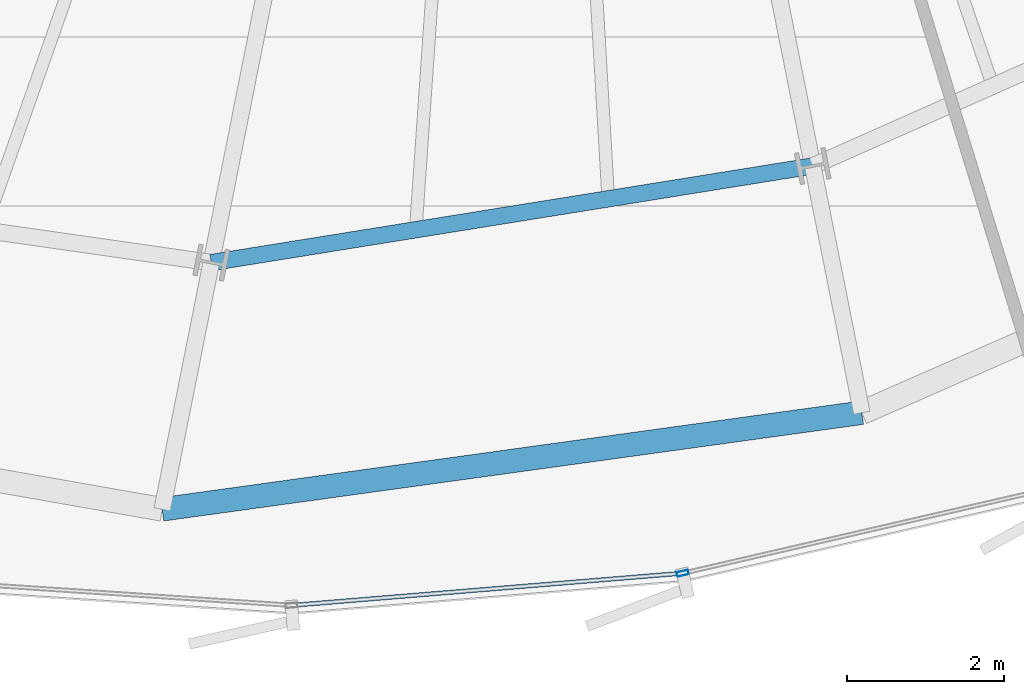
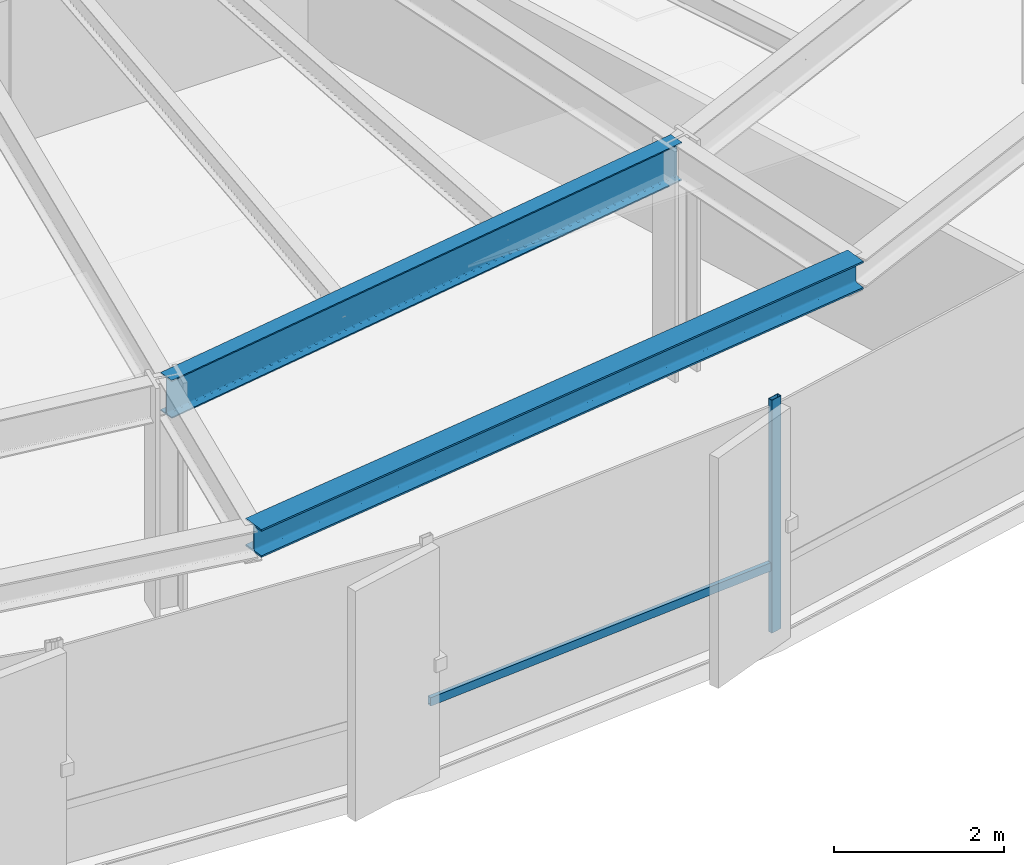
# One storey, part 6 of 35: 2 beams, 2 members, 1 element without a shape of its own.
"""IFC4 building model written with IfcOpenShell, lengths in metres."""

from ifc_helpers import new_model, si_unit, direction, frame, origin, origin_2d, place, context, subcontext, project, spatial, hollow_rectangle, i_section, extrude, source, transform, mapped, material, layer, layer_set, material_profile, profile_set, type_object, element, aggregate, save


model = new_model("IFC4")

# Units and contexts
model_context = context("Model", 3, precision=1e-05, world=origin(), true_north=direction((0.0, 1.0)))
body_context = subcontext(model_context, "Body", "Model", "MODEL_VIEW")
ifc_project = project(units=[si_unit("LENGTHUNIT", "METRE"), si_unit("AREAUNIT", "SQUARE_METRE"), si_unit("VOLUMEUNIT", "CUBIC_METRE"), si_unit("PLANEANGLEUNIT", "RADIAN"), si_unit("MASSUNIT", "GRAM", prefix="KILO"), si_unit("THERMODYNAMICTEMPERATUREUNIT", "KELVIN")], contexts=[model_context])

# Site, building, storey
site_placement = place(None, origin())
site = spatial("IfcSite", under=ifc_project, at=site_placement, CompositionType="ELEMENT")
building_placement = place(site_placement, origin())
building = spatial("IfcBuilding", under=site, at=building_placement, Name="Kethvar Cultural Tower", CompositionType="ELEMENT")
storey_placement = place(building_placement, frame((0.0, 0.0, 103.60009765625)))
storey = spatial("IfcBuildingStorey", under=building, at=storey_placement, Name="L25", CompositionType="ELEMENT", Elevation=103.60009765625)

# Beams
ifc_material_1 = material(Name="Steel S355J2", Category="steel")
ifc_material_profile_1 = material_profile(ifc_material_1, i_section(OverallWidth=0.2099609375, OverallDepth=0.550048828125, WebThickness=0.010986328125, FlangeThickness=0.01708984375, FilletRadius=0.02392578125, at=origin_2d()), Name="Steel S355J2 — IPE550")
ifc_profile_set_1 = profile_set([ifc_material_profile_1], Name="Steel S355J2 — IPE550")
beam_type_1 = type_object("IfcBeamType", Name="BM-IPE550", PredefinedType="BEAM", material=ifc_profile_set_1)
shared_shape_1 = source(origin(), body_context, "Body", "SweptSolid", [
    extrude(i_section(OverallWidth=0.2099609375, OverallDepth=0.550048828125, WebThickness=0.010986328125, FlangeThickness=0.01708984375, FilletRadius=0.02392578125, at=origin_2d()), origin(), (0.0, 0.0, 1.0), 7.749267578125),
])
beam_1_placement = place(storey_placement, frame((42.852294921875, 7.95361328125, 3.072998046875), z_axis=(0.987348257569, 0.158566762831, 0.0), x_axis=(-0.158566762831, 0.987348257569, 0.0)))
element("IfcBeam", 1, at=beam_1_placement, inside=storey, type_object=beam_type_1, Name="L25 Column Ring Tie Beam CR-12", PredefinedType="BEAM", context=body_context, shape_type="MappedRepresentation", body=[
    mapped(shared_shape_1, transform((0.0, 0.0, 0.0), scale=1.0)),
])
ifc_material_profile_2 = material_profile(ifc_material_1, i_section(OverallWidth=0.300048828125, OverallDepth=0.39990234375, WebThickness=0.013427734375, FlangeThickness=0.02392578125, FilletRadius=0.027099609375, at=origin_2d()), Name="Steel S355J2 — HEB400")
ifc_profile_set_2 = profile_set([ifc_material_profile_2], Name="Steel S355J2 — HEB400")
beam_type_2 = type_object("IfcBeamType", Name="BM-SP400", PredefinedType="SPANDREL", material=ifc_profile_set_2)
shared_shape_2 = source(origin(), body_context, "Body", "SweptSolid", [
    extrude(i_section(OverallWidth=0.300048828125, OverallDepth=0.39990234375, WebThickness=0.013427734375, FlangeThickness=0.02392578125, FilletRadius=0.027099609375, at=origin_2d()), origin(), (0.0, 0.0, 1.0), 8.984130859375),
])
beam_2_placement = place(storey_placement, frame((42.22802734375, 4.81494140625, 3.14794921875), z_axis=(0.990602728928, 0.136770733127, 0.0), x_axis=(-0.136770733127, 0.990602728928, 0.0)))
element("IfcBeam", 2, at=beam_2_placement, inside=storey, type_object=beam_type_2, Name="L25 Perimeter Spandrel Beam SP-12", PredefinedType="SPANDREL", context=body_context, shape_type="MappedRepresentation", body=[
    mapped(shared_shape_2, transform((0.0, 0.0, 0.0), scale=1.0)),
])

# Curtain wall, members
ifc_material_2 = material(Name="Aluminium 6063-T6", Category="aluminium")
ifc_layer = layer(ifc_material_2, 0.179931640625, Name="Aluminium 6063-T6", Category="aluminium")
ifc_layer_set = layer_set([ifc_layer], Name="Aluminium 6063-T6 (180 mm)")
curtain_wall_type = type_object("IfcCurtainWallType", Name="CW-SYS-03-Z2", PredefinedType="NOTDEFINED", material=ifc_layer_set)
curtain_wall_placement = place(storey_placement, origin())
curtain_wall = element("IfcCurtainWall", 3, at=curtain_wall_placement, inside=storey, type_object=curtain_wall_type, Name="L25 Curtain Wall Run 05", PredefinedType="NOTDEFINED")
ifc_material_profile_3 = material_profile(ifc_material_2, hollow_rectangle(XDim=0.06005859375, YDim=0.14990234375, WallThickness=0.0048828125, at=origin_2d()), Name="Aluminium 6063-T6 — RHS150x60x5")
ifc_profile_set_3 = profile_set([ifc_material_profile_3], Name="Aluminium 6063-T6 — RHS150x60x5")
member_type_1 = type_object("IfcMemberType", Name="CW-SYS-03-Z2-MUL", PredefinedType="MULLION", material=ifc_profile_set_3)
shared_shape_3 = source(origin(), body_context, "Body", "SweptSolid", [
    extrude(hollow_rectangle(XDim=0.06005859375, YDim=0.14990234375, WallThickness=0.0048828125, at=origin_2d()), origin(), (0.0, 0.0, 1.0), 3.349853515625),
])
member_1_placement = place(storey_placement, frame((48.849609375, 4.001708984375, 0.0), z_axis=(0.0, 0.0, 1.0), x_axis=(-0.224934048344, 0.974373990773, 0.0)))
member_1 = element("IfcMember", 4, at=member_1_placement, type_object=member_type_1, Name="CW-L25-R05 Mullion 3", PredefinedType="MULLION", context=body_context, shape_type="MappedRepresentation", body=[
    mapped(shared_shape_3, transform((0.0, 0.0, 0.0), scale=1.0)),
])
ifc_material_profile_4 = material_profile(ifc_material_2, hollow_rectangle(XDim=0.054931640625, YDim=0.1201171875, WallThickness=0.00390625, at=origin_2d()), Name="Aluminium 6063-T6 — RHS120x55x4")
ifc_profile_set_4 = profile_set([ifc_material_profile_4], Name="Aluminium 6063-T6 — RHS120x55x4")
member_type_2 = type_object("IfcMemberType", Name="CW-SYS-03-Z2-TRN", PredefinedType="USERDEFINED", material=ifc_profile_set_4)
shared_shape_4 = source(origin(), body_context, "Body", "SweptSolid", [
    extrude(hollow_rectangle(XDim=0.054931640625, YDim=0.1201171875, WallThickness=0.00390625, at=origin_2d()), origin(), (0.0, 0.0, 1.0), 4.923583984375),
])
member_2_placement = place(storey_placement, frame((43.916015625, 3.59619140625, 0.949951171875), z_axis=(0.996622950135, 0.082113916385, 0.0), x_axis=(-0.082113916385, 0.996622950135, 0.0)))
member_2 = element("IfcMember", 5, at=member_2_placement, type_object=member_type_2, Name="CW-L25-R05 Transom 2", ObjectType="TRANSOM", PredefinedType="USERDEFINED", context=body_context, shape_type="MappedRepresentation", body=[
    mapped(shared_shape_4, transform((0.0, 0.0, 0.0), scale=1.0)),
])
aggregate(curtain_wall, [member_1, member_2])

save(model, "model.ifc")
